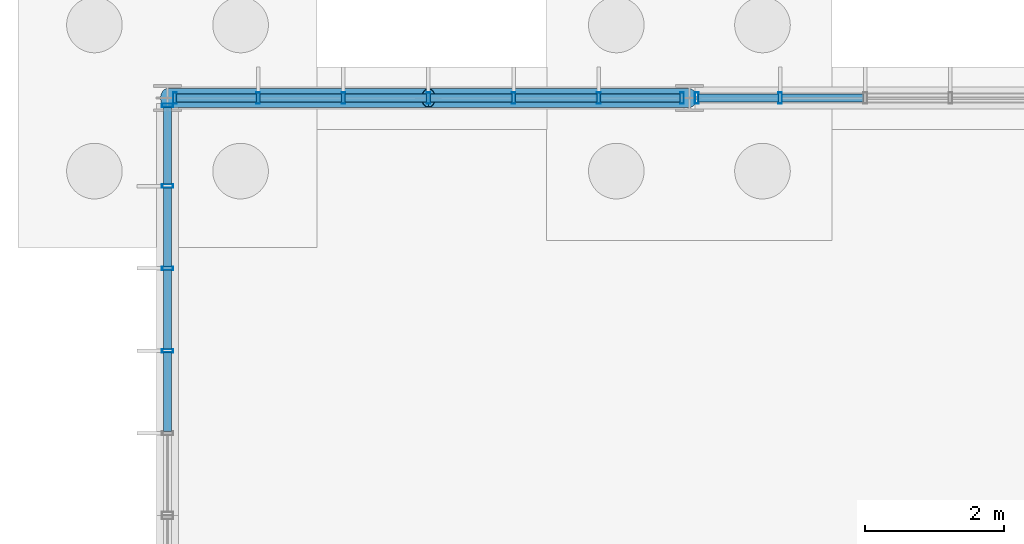
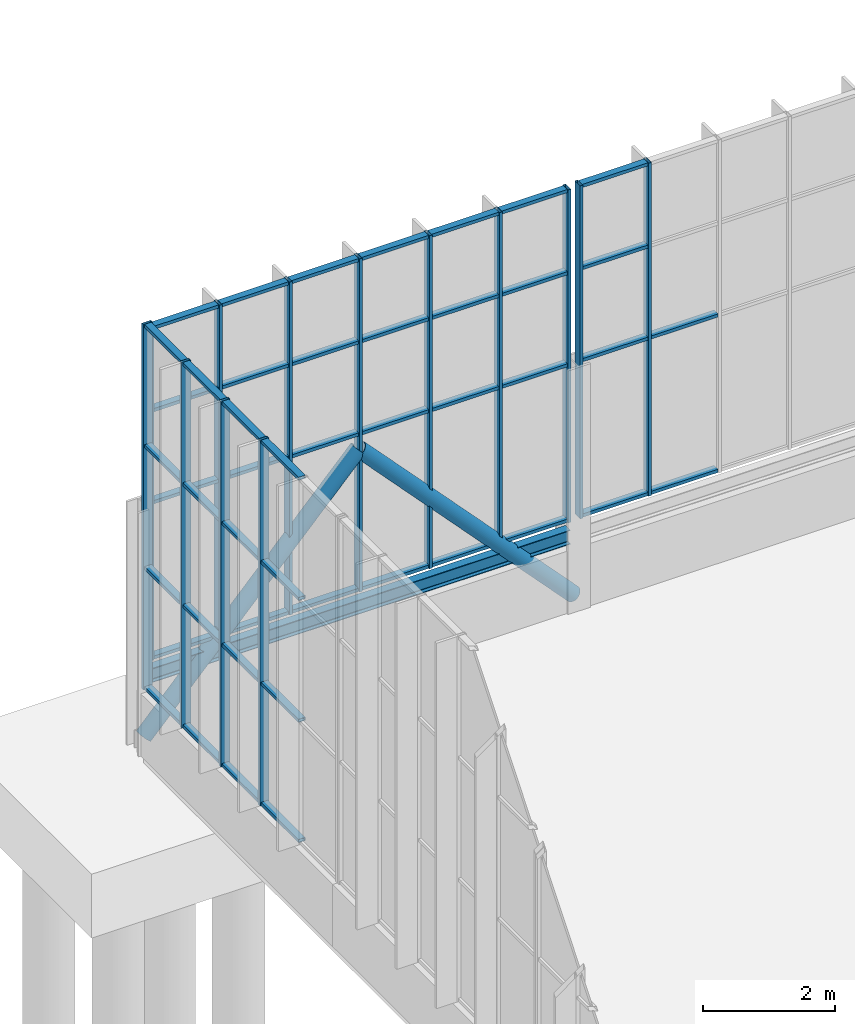
# One storey, part 53 of 136: 61 members, 1 beam, 3 elements without a shape of their own.
"""IFC4 building model written with IfcOpenShell, lengths in metres."""

from ifc_helpers import new_model, si_unit, direction, frame, origin, origin_2d, place, context, subcontext, project, spatial, hollow_rectangle, hollow_circle, i_section, extrude, material, layer, layer_set, material_profile, profile_set, type_object, element, aggregate, save


model = new_model("IFC4")

# Units and contexts
model_context = context("Model", 3, precision=1e-05, world=origin(), true_north=direction((0.0, 1.0)))
body_context = subcontext(model_context, "Body", "Model", "MODEL_VIEW")
ifc_project = project(units=[si_unit("LENGTHUNIT", "METRE"), si_unit("AREAUNIT", "SQUARE_METRE"), si_unit("VOLUMEUNIT", "CUBIC_METRE"), si_unit("PLANEANGLEUNIT", "RADIAN"), si_unit("MASSUNIT", "GRAM", prefix="KILO")], contexts=[model_context])

# Site, building, storey
site_placement = place(None, origin())
site = spatial("IfcSite", under=ifc_project, at=site_placement, CompositionType="ELEMENT")
building_placement = place(site_placement, origin())
building = spatial("IfcBuilding", under=site, at=building_placement, Name="Solvenia Promenade Tram Depot", CompositionType="ELEMENT")
storey_placement = place(building_placement, origin())
storey = spatial("IfcBuildingStorey", under=building, at=storey_placement, Name="L00", CompositionType="ELEMENT", Elevation=0.0)

# Members
ifc_material_1 = material(Name="Structural steel ASTM A500 Gr. C", Category="steel")
ifc_material_profile_1 = material_profile(ifc_material_1, hollow_circle(Radius=0.136474609375, WallThickness=0.010009765625, at=origin_2d()), Name="CHS273.0x10", Category="steel")
ifc_profile_set_1 = profile_set([ifc_material_profile_1], Name="Structural steel ASTM A500 Gr. C")
member_type_1 = type_object("IfcMemberType", Name="Brace-CHS273x10", PredefinedType="BRACE", material=ifc_profile_set_1)
for number, where, z_axis, x_axis, name in (
    (1, (0.0, 126.0, 0.199951171875), (0.683941128881, 0.0, 0.72953720414), (0.0, 1.0, 0.0), "PAC-DES Chevron Brace 03L"),
    (2, (7.5, 126.0, 0.199951171875), (-0.683941128881, 0.0, 0.72953720414), (0.0, -1.0, 0.0), "PAC-DES Chevron Brace 03R"),
):
    element("IfcMember", number, at=place(storey_placement, frame(where, z_axis=z_axis, x_axis=x_axis)), inside=storey, type_object=member_type_1, Name=name, PredefinedType="BRACE", context=body_context, shape_type="SweptSolid", body=[
        extrude(hollow_circle(Radius=0.136474609375, WallThickness=0.010009765625, at=origin_2d()), origin(), (0.0, 0.0, 1.0), 5.48291015625),
    ])

# Curtain wall, members
ifc_material_2 = material(Name="Anodized aluminium AW-6063 T6", Category="aluminium")
ifc_layer = layer(ifc_material_2, 0.159912109375, Name="Anodized aluminium AW-6063 T6", Category="aluminium")
ifc_layer_set = layer_set([ifc_layer], Name="Anodized aluminium AW-6063 T6")
curtain_wall_type = type_object("IfcCurtainWallType", Name="CW-Channel-1200", PredefinedType="NOTDEFINED", material=ifc_layer_set)
curtain_wall_1_placement = place(storey_placement, origin())
curtain_wall_1 = element("IfcCurtainWall", 3, at=curtain_wall_1_placement, inside=storey, type_object=curtain_wall_type, Name="North Translucent Channel-Glass Wall 01", PredefinedType="NOTDEFINED")
ifc_material_profile_2 = material_profile(ifc_material_2, hollow_rectangle(XDim=0.159912109375, YDim=0.052001953125, WallThickness=0.00390625, at=origin_2d()), Name="ALU-M1", Category="aluminium")
ifc_profile_set_2 = profile_set([ifc_material_profile_2], Name="Anodized aluminium AW-6063 T6")
member_type_2 = type_object("IfcMemberType", Name="CWM-Mullion-1", PredefinedType="MULLION", material=ifc_profile_set_2)
member_1_placement = place(storey_placement, frame((0.10595703125, 126.0, 1.60009765625), z_axis=(0.0, 0.0, 1.0), x_axis=(0.0, 1.0, 0.0)))
member_1 = element("IfcMember", 4, at=member_1_placement, type_object=member_type_2, Name="CW-1 mullion 1", PredefinedType="MULLION", context=body_context, shape_type="SweptSolid", body=[
    extrude(hollow_rectangle(XDim=0.159912109375, YDim=0.052001953125, WallThickness=0.00390625, at=origin_2d()), origin(), (0.0, 0.0, 1.0), 6.14990234375),
])
member_2_placement = place(storey_placement, frame((1.30322265625, 126.0, 1.60009765625), z_axis=(0.0, 0.0, 1.0), x_axis=(0.0, 1.0, 0.0)))
member_2 = element("IfcMember", 5, at=member_2_placement, type_object=member_type_2, Name="CW-1 mullion 2", PredefinedType="MULLION", context=body_context, shape_type="SweptSolid", body=[
    extrude(hollow_rectangle(XDim=0.159912109375, YDim=0.052001953125, WallThickness=0.00390625, at=origin_2d()), origin(), (0.0, 0.0, 1.0), 6.14990234375),
])
member_3_placement = place(storey_placement, frame((2.526611328125, 126.0, 1.60009765625), z_axis=(0.0, 0.0, 1.0), x_axis=(0.0, 1.0, 0.0)))
member_3 = element("IfcMember", 6, at=member_3_placement, type_object=member_type_2, Name="CW-1 mullion 3", PredefinedType="MULLION", context=body_context, shape_type="SweptSolid", body=[
    extrude(hollow_rectangle(XDim=0.159912109375, YDim=0.052001953125, WallThickness=0.00390625, at=origin_2d()), origin(), (0.0, 0.0, 1.0), 6.14990234375),
])
member_4_placement = place(storey_placement, frame((3.75, 126.0, 1.60009765625), z_axis=(0.0, 0.0, 1.0), x_axis=(0.0, 1.0, 0.0)))
member_4 = element("IfcMember", 7, at=member_4_placement, type_object=member_type_2, Name="CW-1 mullion 4", PredefinedType="MULLION", context=body_context, shape_type="SweptSolid", body=[
    extrude(hollow_rectangle(XDim=0.159912109375, YDim=0.052001953125, WallThickness=0.00390625, at=origin_2d()), origin(), (0.0, 0.0, 1.0), 6.14990234375),
])
member_5_placement = place(storey_placement, frame((4.973388671875, 126.0, 1.60009765625), z_axis=(0.0, 0.0, 1.0), x_axis=(0.0, 1.0, 0.0)))
member_5 = element("IfcMember", 8, at=member_5_placement, type_object=member_type_2, Name="CW-1 mullion 5", PredefinedType="MULLION", context=body_context, shape_type="SweptSolid", body=[
    extrude(hollow_rectangle(XDim=0.159912109375, YDim=0.052001953125, WallThickness=0.00390625, at=origin_2d()), origin(), (0.0, 0.0, 1.0), 6.14990234375),
])
member_6_placement = place(storey_placement, frame((6.19677734375, 126.0, 1.60009765625), z_axis=(0.0, 0.0, 1.0), x_axis=(0.0, 1.0, 0.0)))
member_6 = element("IfcMember", 9, at=member_6_placement, type_object=member_type_2, Name="CW-1 mullion 6", PredefinedType="MULLION", context=body_context, shape_type="SweptSolid", body=[
    extrude(hollow_rectangle(XDim=0.159912109375, YDim=0.052001953125, WallThickness=0.00390625, at=origin_2d()), origin(), (0.0, 0.0, 1.0), 6.14990234375),
])
member_7_placement = place(storey_placement, frame((7.39404296875, 126.0, 1.60009765625), z_axis=(0.0, 0.0, 1.0), x_axis=(0.0, 1.0, 0.0)))
member_7 = element("IfcMember", 10, at=member_7_placement, type_object=member_type_2, Name="CW-1 mullion 7", PredefinedType="MULLION", context=body_context, shape_type="SweptSolid", body=[
    extrude(hollow_rectangle(XDim=0.159912109375, YDim=0.052001953125, WallThickness=0.00390625, at=origin_2d()), origin(), (0.0, 0.0, 1.0), 6.14990234375),
])

curtain_wall_2_placement = place(storey_placement, origin())
curtain_wall_2 = element("IfcCurtainWall", 11, at=curtain_wall_2_placement, inside=storey, type_object=curtain_wall_type, Name="North Translucent Channel-Glass Wall 02", PredefinedType="NOTDEFINED")
member_8_placement = place(storey_placement, frame((7.60595703125, 126.0, 1.60009765625), z_axis=(0.0, 0.0, 1.0), x_axis=(0.0, 1.0, 0.0)))
member_8 = element("IfcMember", 12, at=member_8_placement, type_object=member_type_2, Name="CW-1 mullion 1", PredefinedType="MULLION", context=body_context, shape_type="SweptSolid", body=[
    extrude(hollow_rectangle(XDim=0.159912109375, YDim=0.052001953125, WallThickness=0.00390625, at=origin_2d()), origin(), (0.0, 0.0, 1.0), 6.14990234375),
])
member_9_placement = place(storey_placement, frame((8.80322265625, 126.0, 1.60009765625), z_axis=(0.0, 0.0, 1.0), x_axis=(0.0, 1.0, 0.0)))
member_9 = element("IfcMember", 13, at=member_9_placement, type_object=member_type_2, Name="CW-1 mullion 2", PredefinedType="MULLION", context=body_context, shape_type="SweptSolid", body=[
    extrude(hollow_rectangle(XDim=0.159912109375, YDim=0.052001953125, WallThickness=0.00390625, at=origin_2d()), origin(), (0.0, 0.0, 1.0), 6.14990234375),
])

curtain_wall_3_placement = place(storey_placement, origin())
curtain_wall_3 = element("IfcCurtainWall", 14, at=curtain_wall_3_placement, inside=storey, type_object=curtain_wall_type, Name="Curtain Wall CW-V1W-10", PredefinedType="NOTDEFINED")
member_10_placement = place(storey_placement, frame((0.0, 122.367919921875, 1.14990234375), z_axis=(0.0, 0.0, 1.0), x_axis=(-1.0, 0.0, 0.0)))
member_10 = element("IfcMember", 15, at=member_10_placement, type_object=member_type_2, Name="CW-1 mullion 3", PredefinedType="MULLION", context=body_context, shape_type="SweptSolid", body=[
    extrude(hollow_rectangle(XDim=0.159912109375, YDim=0.052001953125, WallThickness=0.00390625, at=origin_2d()), origin(), (0.0, 0.0, 1.0), 6.75),
])
member_11_placement = place(storey_placement, frame((0.0, 123.552001953125, 1.14990234375), z_axis=(0.0, 0.0, 1.0), x_axis=(-1.0, 0.0, 0.0)))
member_11 = element("IfcMember", 16, at=member_11_placement, type_object=member_type_2, Name="CW-1 mullion 4", PredefinedType="MULLION", context=body_context, shape_type="SweptSolid", body=[
    extrude(hollow_rectangle(XDim=0.159912109375, YDim=0.052001953125, WallThickness=0.00390625, at=origin_2d()), origin(), (0.0, 0.0, 1.0), 6.75),
])
member_12_placement = place(storey_placement, frame((0.0, 124.736083984375, 1.14990234375), z_axis=(0.0, 0.0, 1.0), x_axis=(-1.0, 0.0, 0.0)))
member_12 = element("IfcMember", 17, at=member_12_placement, type_object=member_type_2, Name="CW-1 mullion 5", PredefinedType="MULLION", context=body_context, shape_type="SweptSolid", body=[
    extrude(hollow_rectangle(XDim=0.159912109375, YDim=0.052001953125, WallThickness=0.00390625, at=origin_2d()), origin(), (0.0, 0.0, 1.0), 6.75),
])
member_13_placement = place(storey_placement, frame((0.0, 125.89404296875, 1.14990234375), z_axis=(0.0, 0.0, 1.0), x_axis=(-1.0, 0.0, 0.0)))
member_13 = element("IfcMember", 18, at=member_13_placement, type_object=member_type_2, Name="CW-1 mullion 6", PredefinedType="MULLION", context=body_context, shape_type="SweptSolid", body=[
    extrude(hollow_rectangle(XDim=0.159912109375, YDim=0.052001953125, WallThickness=0.00390625, at=origin_2d()), origin(), (0.0, 0.0, 1.0), 6.75),
])

# Member
ifc_material_profile_3 = material_profile(ifc_material_2, hollow_rectangle(XDim=0.1201171875, YDim=0.06005859375, WallThickness=0.00390625, at=origin_2d()), Name="ALU-T1", Category="aluminium")
ifc_profile_set_3 = profile_set([ifc_material_profile_3], Name="Anodized aluminium AW-6063 T6")
member_type_3 = type_object("IfcMemberType", Name="CWT-Transom-1", PredefinedType="USERDEFINED", material=ifc_profile_set_3)
member_14_placement = place(storey_placement, frame((0.132080078125, 126.0, 1.6298828125), z_axis=(1.0, 0.0, 0.0), x_axis=(0.0, 1.0, 0.0)))
member_14 = element("IfcMember", 19, at=member_14_placement, type_object=member_type_3, Name="CW-1 transom 1.1", ObjectType="TRANSOM", PredefinedType="USERDEFINED", context=body_context, shape_type="SweptSolid", body=[
    extrude(hollow_rectangle(XDim=0.1201171875, YDim=0.06005859375, WallThickness=0.00390625, at=origin_2d()), origin(), (0.0, 0.0, 1.0), 1.145263671875),
])

member_15_placement = place(storey_placement, frame((0.132080078125, 126.0, 4.5), z_axis=(1.0, 0.0, 0.0), x_axis=(0.0, 1.0, 0.0)))
member_15 = element("IfcMember", 20, at=member_15_placement, type_object=member_type_3, Name="CW-1 transom 1.2", ObjectType="TRANSOM", PredefinedType="USERDEFINED", context=body_context, shape_type="SweptSolid", body=[
    extrude(hollow_rectangle(XDim=0.1201171875, YDim=0.06005859375, WallThickness=0.00390625, at=origin_2d()), origin(), (0.0, 0.0, 1.0), 1.145263671875),
])

member_16_placement = place(storey_placement, frame((0.132080078125, 126.0, 6.199951171875), z_axis=(1.0, 0.0, 0.0), x_axis=(0.0, 1.0, 0.0)))
member_16 = element("IfcMember", 21, at=member_16_placement, type_object=member_type_3, Name="CW-1 transom 1.3", ObjectType="TRANSOM", PredefinedType="USERDEFINED", context=body_context, shape_type="SweptSolid", body=[
    extrude(hollow_rectangle(XDim=0.1201171875, YDim=0.06005859375, WallThickness=0.00390625, at=origin_2d()), origin(), (0.0, 0.0, 1.0), 1.145263671875),
])

member_17_placement = place(storey_placement, frame((0.132080078125, 126.0, 7.719970703125), z_axis=(1.0, 0.0, 0.0), x_axis=(0.0, 1.0, 0.0)))
member_17 = element("IfcMember", 22, at=member_17_placement, type_object=member_type_3, Name="CW-1 transom 1.4", ObjectType="TRANSOM", PredefinedType="USERDEFINED", context=body_context, shape_type="SweptSolid", body=[
    extrude(hollow_rectangle(XDim=0.1201171875, YDim=0.06005859375, WallThickness=0.00390625, at=origin_2d()), origin(), (0.0, 0.0, 1.0), 1.145263671875),
])

member_18_placement = place(storey_placement, frame((1.329345703125, 126.0, 1.6298828125), z_axis=(1.0, 0.0, 0.0), x_axis=(0.0, 1.0, 0.0)))
member_18 = element("IfcMember", 23, at=member_18_placement, type_object=member_type_3, Name="CW-1 transom 2.1", ObjectType="TRANSOM", PredefinedType="USERDEFINED", context=body_context, shape_type="SweptSolid", body=[
    extrude(hollow_rectangle(XDim=0.1201171875, YDim=0.06005859375, WallThickness=0.00390625, at=origin_2d()), origin(), (0.0, 0.0, 1.0), 1.17138671875),
])

member_19_placement = place(storey_placement, frame((1.329345703125, 126.0, 4.5), z_axis=(1.0, 0.0, 0.0), x_axis=(0.0, 1.0, 0.0)))
member_19 = element("IfcMember", 24, at=member_19_placement, type_object=member_type_3, Name="CW-1 transom 2.2", ObjectType="TRANSOM", PredefinedType="USERDEFINED", context=body_context, shape_type="SweptSolid", body=[
    extrude(hollow_rectangle(XDim=0.1201171875, YDim=0.06005859375, WallThickness=0.00390625, at=origin_2d()), origin(), (0.0, 0.0, 1.0), 1.17138671875),
])

member_20_placement = place(storey_placement, frame((1.329345703125, 126.0, 6.199951171875), z_axis=(1.0, 0.0, 0.0), x_axis=(0.0, 1.0, 0.0)))
member_20 = element("IfcMember", 25, at=member_20_placement, type_object=member_type_3, Name="CW-1 transom 2.3", ObjectType="TRANSOM", PredefinedType="USERDEFINED", context=body_context, shape_type="SweptSolid", body=[
    extrude(hollow_rectangle(XDim=0.1201171875, YDim=0.06005859375, WallThickness=0.00390625, at=origin_2d()), origin(), (0.0, 0.0, 1.0), 1.17138671875),
])

member_21_placement = place(storey_placement, frame((1.329345703125, 126.0, 7.719970703125), z_axis=(1.0, 0.0, 0.0), x_axis=(0.0, 1.0, 0.0)))
member_21 = element("IfcMember", 26, at=member_21_placement, type_object=member_type_3, Name="CW-1 transom 2.4", ObjectType="TRANSOM", PredefinedType="USERDEFINED", context=body_context, shape_type="SweptSolid", body=[
    extrude(hollow_rectangle(XDim=0.1201171875, YDim=0.06005859375, WallThickness=0.00390625, at=origin_2d()), origin(), (0.0, 0.0, 1.0), 1.17138671875),
])

member_22_placement = place(storey_placement, frame((2.552734375, 126.0, 1.6298828125), z_axis=(1.0, 0.0, 0.0), x_axis=(0.0, 1.0, 0.0)))
member_22 = element("IfcMember", 27, at=member_22_placement, type_object=member_type_3, Name="CW-1 transom 3.1", ObjectType="TRANSOM", PredefinedType="USERDEFINED", context=body_context, shape_type="SweptSolid", body=[
    extrude(hollow_rectangle(XDim=0.1201171875, YDim=0.06005859375, WallThickness=0.00390625, at=origin_2d()), origin(), (0.0, 0.0, 1.0), 1.17138671875),
])

member_23_placement = place(storey_placement, frame((2.552734375, 126.0, 4.5), z_axis=(1.0, 0.0, 0.0), x_axis=(0.0, 1.0, 0.0)))
member_23 = element("IfcMember", 28, at=member_23_placement, type_object=member_type_3, Name="CW-1 transom 3.2", ObjectType="TRANSOM", PredefinedType="USERDEFINED", context=body_context, shape_type="SweptSolid", body=[
    extrude(hollow_rectangle(XDim=0.1201171875, YDim=0.06005859375, WallThickness=0.00390625, at=origin_2d()), origin(), (0.0, 0.0, 1.0), 1.17138671875),
])

member_24_placement = place(storey_placement, frame((2.552734375, 126.0, 6.199951171875), z_axis=(1.0, 0.0, 0.0), x_axis=(0.0, 1.0, 0.0)))
member_24 = element("IfcMember", 29, at=member_24_placement, type_object=member_type_3, Name="CW-1 transom 3.3", ObjectType="TRANSOM", PredefinedType="USERDEFINED", context=body_context, shape_type="SweptSolid", body=[
    extrude(hollow_rectangle(XDim=0.1201171875, YDim=0.06005859375, WallThickness=0.00390625, at=origin_2d()), origin(), (0.0, 0.0, 1.0), 1.17138671875),
])

member_25_placement = place(storey_placement, frame((2.552734375, 126.0, 7.719970703125), z_axis=(1.0, 0.0, 0.0), x_axis=(0.0, 1.0, 0.0)))
member_25 = element("IfcMember", 30, at=member_25_placement, type_object=member_type_3, Name="CW-1 transom 3.4", ObjectType="TRANSOM", PredefinedType="USERDEFINED", context=body_context, shape_type="SweptSolid", body=[
    extrude(hollow_rectangle(XDim=0.1201171875, YDim=0.06005859375, WallThickness=0.00390625, at=origin_2d()), origin(), (0.0, 0.0, 1.0), 1.17138671875),
])

member_26_placement = place(storey_placement, frame((3.77587890625, 126.0, 1.6298828125), z_axis=(1.0, 0.0, 0.0), x_axis=(0.0, 1.0, 0.0)))
member_26 = element("IfcMember", 31, at=member_26_placement, type_object=member_type_3, Name="CW-1 transom 4.1", ObjectType="TRANSOM", PredefinedType="USERDEFINED", context=body_context, shape_type="SweptSolid", body=[
    extrude(hollow_rectangle(XDim=0.1201171875, YDim=0.06005859375, WallThickness=0.00390625, at=origin_2d()), origin(), (0.0, 0.0, 1.0), 1.17138671875),
])

member_27_placement = place(storey_placement, frame((3.77587890625, 126.0, 4.5), z_axis=(1.0, 0.0, 0.0), x_axis=(0.0, 1.0, 0.0)))
member_27 = element("IfcMember", 32, at=member_27_placement, type_object=member_type_3, Name="CW-1 transom 4.2", ObjectType="TRANSOM", PredefinedType="USERDEFINED", context=body_context, shape_type="SweptSolid", body=[
    extrude(hollow_rectangle(XDim=0.1201171875, YDim=0.06005859375, WallThickness=0.00390625, at=origin_2d()), origin(), (0.0, 0.0, 1.0), 1.17138671875),
])

member_28_placement = place(storey_placement, frame((3.77587890625, 126.0, 6.199951171875), z_axis=(1.0, 0.0, 0.0), x_axis=(0.0, 1.0, 0.0)))
member_28 = element("IfcMember", 33, at=member_28_placement, type_object=member_type_3, Name="CW-1 transom 4.3", ObjectType="TRANSOM", PredefinedType="USERDEFINED", context=body_context, shape_type="SweptSolid", body=[
    extrude(hollow_rectangle(XDim=0.1201171875, YDim=0.06005859375, WallThickness=0.00390625, at=origin_2d()), origin(), (0.0, 0.0, 1.0), 1.17138671875),
])

member_29_placement = place(storey_placement, frame((3.77587890625, 126.0, 7.719970703125), z_axis=(1.0, 0.0, 0.0), x_axis=(0.0, 1.0, 0.0)))
member_29 = element("IfcMember", 34, at=member_29_placement, type_object=member_type_3, Name="CW-1 transom 4.4", ObjectType="TRANSOM", PredefinedType="USERDEFINED", context=body_context, shape_type="SweptSolid", body=[
    extrude(hollow_rectangle(XDim=0.1201171875, YDim=0.06005859375, WallThickness=0.00390625, at=origin_2d()), origin(), (0.0, 0.0, 1.0), 1.17138671875),
])

member_30_placement = place(storey_placement, frame((4.999267578125, 126.0, 1.6298828125), z_axis=(1.0, 0.0, 0.0), x_axis=(0.0, 1.0, 0.0)))
member_30 = element("IfcMember", 35, at=member_30_placement, type_object=member_type_3, Name="CW-1 transom 5.1", ObjectType="TRANSOM", PredefinedType="USERDEFINED", context=body_context, shape_type="SweptSolid", body=[
    extrude(hollow_rectangle(XDim=0.1201171875, YDim=0.06005859375, WallThickness=0.00390625, at=origin_2d()), origin(), (0.0, 0.0, 1.0), 1.17138671875),
])

member_31_placement = place(storey_placement, frame((4.999267578125, 126.0, 4.5), z_axis=(1.0, 0.0, 0.0), x_axis=(0.0, 1.0, 0.0)))
member_31 = element("IfcMember", 36, at=member_31_placement, type_object=member_type_3, Name="CW-1 transom 5.2", ObjectType="TRANSOM", PredefinedType="USERDEFINED", context=body_context, shape_type="SweptSolid", body=[
    extrude(hollow_rectangle(XDim=0.1201171875, YDim=0.06005859375, WallThickness=0.00390625, at=origin_2d()), origin(), (0.0, 0.0, 1.0), 1.17138671875),
])

member_32_placement = place(storey_placement, frame((4.999267578125, 126.0, 6.199951171875), z_axis=(1.0, 0.0, 0.0), x_axis=(0.0, 1.0, 0.0)))
member_32 = element("IfcMember", 37, at=member_32_placement, type_object=member_type_3, Name="CW-1 transom 5.3", ObjectType="TRANSOM", PredefinedType="USERDEFINED", context=body_context, shape_type="SweptSolid", body=[
    extrude(hollow_rectangle(XDim=0.1201171875, YDim=0.06005859375, WallThickness=0.00390625, at=origin_2d()), origin(), (0.0, 0.0, 1.0), 1.17138671875),
])

member_33_placement = place(storey_placement, frame((4.999267578125, 126.0, 7.719970703125), z_axis=(1.0, 0.0, 0.0), x_axis=(0.0, 1.0, 0.0)))
member_33 = element("IfcMember", 38, at=member_33_placement, type_object=member_type_3, Name="CW-1 transom 5.4", ObjectType="TRANSOM", PredefinedType="USERDEFINED", context=body_context, shape_type="SweptSolid", body=[
    extrude(hollow_rectangle(XDim=0.1201171875, YDim=0.06005859375, WallThickness=0.00390625, at=origin_2d()), origin(), (0.0, 0.0, 1.0), 1.17138671875),
])

member_34_placement = place(storey_placement, frame((6.22265625, 126.0, 1.6298828125), z_axis=(1.0, 0.0, 0.0), x_axis=(0.0, 1.0, 0.0)))
member_34 = element("IfcMember", 39, at=member_34_placement, type_object=member_type_3, Name="CW-1 transom 6.1", ObjectType="TRANSOM", PredefinedType="USERDEFINED", context=body_context, shape_type="SweptSolid", body=[
    extrude(hollow_rectangle(XDim=0.1201171875, YDim=0.06005859375, WallThickness=0.00390625, at=origin_2d()), origin(), (0.0, 0.0, 1.0), 1.145263671875),
])

member_35_placement = place(storey_placement, frame((6.22265625, 126.0, 4.5), z_axis=(1.0, 0.0, 0.0), x_axis=(0.0, 1.0, 0.0)))
member_35 = element("IfcMember", 40, at=member_35_placement, type_object=member_type_3, Name="CW-1 transom 6.2", ObjectType="TRANSOM", PredefinedType="USERDEFINED", context=body_context, shape_type="SweptSolid", body=[
    extrude(hollow_rectangle(XDim=0.1201171875, YDim=0.06005859375, WallThickness=0.00390625, at=origin_2d()), origin(), (0.0, 0.0, 1.0), 1.145263671875),
])

member_36_placement = place(storey_placement, frame((6.22265625, 126.0, 6.199951171875), z_axis=(1.0, 0.0, 0.0), x_axis=(0.0, 1.0, 0.0)))
member_36 = element("IfcMember", 41, at=member_36_placement, type_object=member_type_3, Name="CW-1 transom 6.3", ObjectType="TRANSOM", PredefinedType="USERDEFINED", context=body_context, shape_type="SweptSolid", body=[
    extrude(hollow_rectangle(XDim=0.1201171875, YDim=0.06005859375, WallThickness=0.00390625, at=origin_2d()), origin(), (0.0, 0.0, 1.0), 1.145263671875),
])

member_37_placement = place(storey_placement, frame((6.22265625, 126.0, 7.719970703125), z_axis=(1.0, 0.0, 0.0), x_axis=(0.0, 1.0, 0.0)))
member_37 = element("IfcMember", 42, at=member_37_placement, type_object=member_type_3, Name="CW-1 transom 6.4", ObjectType="TRANSOM", PredefinedType="USERDEFINED", context=body_context, shape_type="SweptSolid", body=[
    extrude(hollow_rectangle(XDim=0.1201171875, YDim=0.06005859375, WallThickness=0.00390625, at=origin_2d()), origin(), (0.0, 0.0, 1.0), 1.145263671875),
])

aggregate(curtain_wall_1, [member_1, member_2, member_3, member_4, member_5, member_6, member_7, member_14, member_15, member_16, member_17, member_18, member_19, member_20, member_21, member_22, member_23, member_24, member_25, member_26, member_27, member_28, member_29, member_30, member_31, member_32, member_33, member_34, member_35, member_36, member_37])

member_38_placement = place(storey_placement, frame((7.632080078125, 126.0, 1.6298828125), z_axis=(1.0, 0.0, 0.0), x_axis=(0.0, 1.0, 0.0)))
member_38 = element("IfcMember", 43, at=member_38_placement, type_object=member_type_3, Name="CW-1 transom 1.1", ObjectType="TRANSOM", PredefinedType="USERDEFINED", context=body_context, shape_type="SweptSolid", body=[
    extrude(hollow_rectangle(XDim=0.1201171875, YDim=0.06005859375, WallThickness=0.00390625, at=origin_2d()), origin(), (0.0, 0.0, 1.0), 1.145263671875),
])

member_39_placement = place(storey_placement, frame((7.632080078125, 126.0, 4.5), z_axis=(1.0, 0.0, 0.0), x_axis=(0.0, 1.0, 0.0)))
member_39 = element("IfcMember", 44, at=member_39_placement, type_object=member_type_3, Name="CW-1 transom 1.2", ObjectType="TRANSOM", PredefinedType="USERDEFINED", context=body_context, shape_type="SweptSolid", body=[
    extrude(hollow_rectangle(XDim=0.1201171875, YDim=0.06005859375, WallThickness=0.00390625, at=origin_2d()), origin(), (0.0, 0.0, 1.0), 1.145263671875),
])

member_40_placement = place(storey_placement, frame((7.632080078125, 126.0, 6.199951171875), z_axis=(1.0, 0.0, 0.0), x_axis=(0.0, 1.0, 0.0)))
member_40 = element("IfcMember", 45, at=member_40_placement, type_object=member_type_3, Name="CW-1 transom 1.3", ObjectType="TRANSOM", PredefinedType="USERDEFINED", context=body_context, shape_type="SweptSolid", body=[
    extrude(hollow_rectangle(XDim=0.1201171875, YDim=0.06005859375, WallThickness=0.00390625, at=origin_2d()), origin(), (0.0, 0.0, 1.0), 1.145263671875),
])

member_41_placement = place(storey_placement, frame((7.632080078125, 126.0, 7.719970703125), z_axis=(1.0, 0.0, 0.0), x_axis=(0.0, 1.0, 0.0)))
member_41 = element("IfcMember", 46, at=member_41_placement, type_object=member_type_3, Name="CW-1 transom 1.4", ObjectType="TRANSOM", PredefinedType="USERDEFINED", context=body_context, shape_type="SweptSolid", body=[
    extrude(hollow_rectangle(XDim=0.1201171875, YDim=0.06005859375, WallThickness=0.00390625, at=origin_2d()), origin(), (0.0, 0.0, 1.0), 1.145263671875),
])

member_42_placement = place(storey_placement, frame((8.829345703125, 126.0, 1.6298828125), z_axis=(1.0, 0.0, 0.0), x_axis=(0.0, 1.0, 0.0)))
member_42 = element("IfcMember", 47, at=member_42_placement, type_object=member_type_3, Name="CW-1 transom 2.1", ObjectType="TRANSOM", PredefinedType="USERDEFINED", context=body_context, shape_type="SweptSolid", body=[
    extrude(hollow_rectangle(XDim=0.1201171875, YDim=0.06005859375, WallThickness=0.00390625, at=origin_2d()), origin(), (0.0, 0.0, 1.0), 1.17138671875),
])

member_43_placement = place(storey_placement, frame((8.829345703125, 126.0, 4.5), z_axis=(1.0, 0.0, 0.0), x_axis=(0.0, 1.0, 0.0)))
member_43 = element("IfcMember", 48, at=member_43_placement, type_object=member_type_3, Name="CW-1 transom 2.2", ObjectType="TRANSOM", PredefinedType="USERDEFINED", context=body_context, shape_type="SweptSolid", body=[
    extrude(hollow_rectangle(XDim=0.1201171875, YDim=0.06005859375, WallThickness=0.00390625, at=origin_2d()), origin(), (0.0, 0.0, 1.0), 1.17138671875),
])

aggregate(curtain_wall_2, [member_8, member_9, member_38, member_39, member_40, member_41, member_42, member_43])

member_44_placement = place(storey_placement, frame((0.0, 121.2099609375, 1.179931640625), z_axis=(0.0, 1.0, 0.0), x_axis=(-1.0, 0.0, 0.0)))
member_44 = element("IfcMember", 49, at=member_44_placement, type_object=member_type_3, Name="CW-1 transom 2.1", ObjectType="TRANSOM", PredefinedType="USERDEFINED", context=body_context, shape_type="SweptSolid", body=[
    extrude(hollow_rectangle(XDim=0.1201171875, YDim=0.06005859375, WallThickness=0.00390625, at=origin_2d()), origin(), (0.0, 0.0, 1.0), 1.132080078125),
])

member_45_placement = place(storey_placement, frame((0.0, 121.2099609375, 3.39990234375), z_axis=(0.0, 1.0, 0.0), x_axis=(-1.0, 0.0, 0.0)))
member_45 = element("IfcMember", 50, at=member_45_placement, type_object=member_type_3, Name="CW-1 transom 2.2", ObjectType="TRANSOM", PredefinedType="USERDEFINED", context=body_context, shape_type="SweptSolid", body=[
    extrude(hollow_rectangle(XDim=0.1201171875, YDim=0.06005859375, WallThickness=0.00390625, at=origin_2d()), origin(), (0.0, 0.0, 1.0), 1.132080078125),
])

member_46_placement = place(storey_placement, frame((0.0, 121.2099609375, 5.64990234375), z_axis=(0.0, 1.0, 0.0), x_axis=(-1.0, 0.0, 0.0)))
member_46 = element("IfcMember", 51, at=member_46_placement, type_object=member_type_3, Name="CW-1 transom 2.3", ObjectType="TRANSOM", PredefinedType="USERDEFINED", context=body_context, shape_type="SweptSolid", body=[
    extrude(hollow_rectangle(XDim=0.1201171875, YDim=0.06005859375, WallThickness=0.00390625, at=origin_2d()), origin(), (0.0, 0.0, 1.0), 1.132080078125),
])

member_47_placement = place(storey_placement, frame((0.0, 121.2099609375, 7.8701171875), z_axis=(0.0, 1.0, 0.0), x_axis=(-1.0, 0.0, 0.0)))
member_47 = element("IfcMember", 52, at=member_47_placement, type_object=member_type_3, Name="CW-1 transom 2.4", ObjectType="TRANSOM", PredefinedType="USERDEFINED", context=body_context, shape_type="SweptSolid", body=[
    extrude(hollow_rectangle(XDim=0.1201171875, YDim=0.06005859375, WallThickness=0.00390625, at=origin_2d()), origin(), (0.0, 0.0, 1.0), 1.132080078125),
])

member_48_placement = place(storey_placement, frame((0.0, 122.39404296875, 1.179931640625), z_axis=(0.0, 1.0, 0.0), x_axis=(-1.0, 0.0, 0.0)))
member_48 = element("IfcMember", 53, at=member_48_placement, type_object=member_type_3, Name="CW-1 transom 3.1", ObjectType="TRANSOM", PredefinedType="USERDEFINED", context=body_context, shape_type="SweptSolid", body=[
    extrude(hollow_rectangle(XDim=0.1201171875, YDim=0.06005859375, WallThickness=0.00390625, at=origin_2d()), origin(), (0.0, 0.0, 1.0), 1.1318359375),
])

member_49_placement = place(storey_placement, frame((0.0, 122.39404296875, 3.39990234375), z_axis=(0.0, 1.0, 0.0), x_axis=(-1.0, 0.0, 0.0)))
member_49 = element("IfcMember", 54, at=member_49_placement, type_object=member_type_3, Name="CW-1 transom 3.2", ObjectType="TRANSOM", PredefinedType="USERDEFINED", context=body_context, shape_type="SweptSolid", body=[
    extrude(hollow_rectangle(XDim=0.1201171875, YDim=0.06005859375, WallThickness=0.00390625, at=origin_2d()), origin(), (0.0, 0.0, 1.0), 1.1318359375),
])

member_50_placement = place(storey_placement, frame((0.0, 122.39404296875, 5.64990234375), z_axis=(0.0, 1.0, 0.0), x_axis=(-1.0, 0.0, 0.0)))
member_50 = element("IfcMember", 55, at=member_50_placement, type_object=member_type_3, Name="CW-1 transom 3.3", ObjectType="TRANSOM", PredefinedType="USERDEFINED", context=body_context, shape_type="SweptSolid", body=[
    extrude(hollow_rectangle(XDim=0.1201171875, YDim=0.06005859375, WallThickness=0.00390625, at=origin_2d()), origin(), (0.0, 0.0, 1.0), 1.1318359375),
])

member_51_placement = place(storey_placement, frame((0.0, 122.39404296875, 7.8701171875), z_axis=(0.0, 1.0, 0.0), x_axis=(-1.0, 0.0, 0.0)))
member_51 = element("IfcMember", 56, at=member_51_placement, type_object=member_type_3, Name="CW-1 transom 3.4", ObjectType="TRANSOM", PredefinedType="USERDEFINED", context=body_context, shape_type="SweptSolid", body=[
    extrude(hollow_rectangle(XDim=0.1201171875, YDim=0.06005859375, WallThickness=0.00390625, at=origin_2d()), origin(), (0.0, 0.0, 1.0), 1.1318359375),
])

member_52_placement = place(storey_placement, frame((0.0, 123.577880859375, 1.179931640625), z_axis=(0.0, 1.0, 0.0), x_axis=(-1.0, 0.0, 0.0)))
member_52 = element("IfcMember", 57, at=member_52_placement, type_object=member_type_3, Name="CW-1 transom 4.1", ObjectType="TRANSOM", PredefinedType="USERDEFINED", context=body_context, shape_type="SweptSolid", body=[
    extrude(hollow_rectangle(XDim=0.1201171875, YDim=0.06005859375, WallThickness=0.00390625, at=origin_2d()), origin(), (0.0, 0.0, 1.0), 1.132080078125),
])

member_53_placement = place(storey_placement, frame((0.0, 123.577880859375, 3.39990234375), z_axis=(0.0, 1.0, 0.0), x_axis=(-1.0, 0.0, 0.0)))
member_53 = element("IfcMember", 58, at=member_53_placement, type_object=member_type_3, Name="CW-1 transom 4.2", ObjectType="TRANSOM", PredefinedType="USERDEFINED", context=body_context, shape_type="SweptSolid", body=[
    extrude(hollow_rectangle(XDim=0.1201171875, YDim=0.06005859375, WallThickness=0.00390625, at=origin_2d()), origin(), (0.0, 0.0, 1.0), 1.132080078125),
])

member_54_placement = place(storey_placement, frame((0.0, 123.577880859375, 5.64990234375), z_axis=(0.0, 1.0, 0.0), x_axis=(-1.0, 0.0, 0.0)))
member_54 = element("IfcMember", 59, at=member_54_placement, type_object=member_type_3, Name="CW-1 transom 4.3", ObjectType="TRANSOM", PredefinedType="USERDEFINED", context=body_context, shape_type="SweptSolid", body=[
    extrude(hollow_rectangle(XDim=0.1201171875, YDim=0.06005859375, WallThickness=0.00390625, at=origin_2d()), origin(), (0.0, 0.0, 1.0), 1.132080078125),
])

member_55_placement = place(storey_placement, frame((0.0, 123.577880859375, 7.8701171875), z_axis=(0.0, 1.0, 0.0), x_axis=(-1.0, 0.0, 0.0)))
member_55 = element("IfcMember", 60, at=member_55_placement, type_object=member_type_3, Name="CW-1 transom 4.4", ObjectType="TRANSOM", PredefinedType="USERDEFINED", context=body_context, shape_type="SweptSolid", body=[
    extrude(hollow_rectangle(XDim=0.1201171875, YDim=0.06005859375, WallThickness=0.00390625, at=origin_2d()), origin(), (0.0, 0.0, 1.0), 1.132080078125),
])

member_56_placement = place(storey_placement, frame((0.0, 124.761962890625, 1.179931640625), z_axis=(0.0, 1.0, 0.0), x_axis=(-1.0, 0.0, 0.0)))
member_56 = element("IfcMember", 61, at=member_56_placement, type_object=member_type_3, Name="CW-1 transom 5.1", ObjectType="TRANSOM", PredefinedType="USERDEFINED", context=body_context, shape_type="SweptSolid", body=[
    extrude(hollow_rectangle(XDim=0.1201171875, YDim=0.06005859375, WallThickness=0.00390625, at=origin_2d()), origin(), (0.0, 0.0, 1.0), 1.10595703125),
])

member_57_placement = place(storey_placement, frame((0.0, 124.761962890625, 3.39990234375), z_axis=(0.0, 1.0, 0.0), x_axis=(-1.0, 0.0, 0.0)))
member_57 = element("IfcMember", 62, at=member_57_placement, type_object=member_type_3, Name="CW-1 transom 5.2", ObjectType="TRANSOM", PredefinedType="USERDEFINED", context=body_context, shape_type="SweptSolid", body=[
    extrude(hollow_rectangle(XDim=0.1201171875, YDim=0.06005859375, WallThickness=0.00390625, at=origin_2d()), origin(), (0.0, 0.0, 1.0), 1.10595703125),
])

member_58_placement = place(storey_placement, frame((0.0, 124.761962890625, 5.64990234375), z_axis=(0.0, 1.0, 0.0), x_axis=(-1.0, 0.0, 0.0)))
member_58 = element("IfcMember", 63, at=member_58_placement, type_object=member_type_3, Name="CW-1 transom 5.3", ObjectType="TRANSOM", PredefinedType="USERDEFINED", context=body_context, shape_type="SweptSolid", body=[
    extrude(hollow_rectangle(XDim=0.1201171875, YDim=0.06005859375, WallThickness=0.00390625, at=origin_2d()), origin(), (0.0, 0.0, 1.0), 1.10595703125),
])

member_59_placement = place(storey_placement, frame((0.0, 124.761962890625, 7.8701171875), z_axis=(0.0, 1.0, 0.0), x_axis=(-1.0, 0.0, 0.0)))
member_59 = element("IfcMember", 64, at=member_59_placement, type_object=member_type_3, Name="CW-1 transom 5.4", ObjectType="TRANSOM", PredefinedType="USERDEFINED", context=body_context, shape_type="SweptSolid", body=[
    extrude(hollow_rectangle(XDim=0.1201171875, YDim=0.06005859375, WallThickness=0.00390625, at=origin_2d()), origin(), (0.0, 0.0, 1.0), 1.10595703125),
])

aggregate(curtain_wall_3, [member_10, member_11, member_12, member_13, member_44, member_45, member_46, member_47, member_48, member_49, member_50, member_51, member_52, member_53, member_54, member_55, member_56, member_57, member_58, member_59])

# Beam
ifc_material_3 = material(Name="Structural steel ASTM A992 Gr. 50", Category="steel")
ifc_material_profile_4 = material_profile(ifc_material_3, i_section(OverallWidth=0.14697265625, OverallDepth=0.261962890625, WebThickness=0.006591796875, FlangeThickness=0.01123046875, FilletRadius=0.010009765625, at=origin_2d()), Name="W250x39", Category="steel")
ifc_profile_set_4 = profile_set([ifc_material_profile_4], Name="Structural steel ASTM A992 Gr. 50")
beam_type = type_object("IfcBeamType", Name="Lintel-W250x39", PredefinedType="LINTEL", material=ifc_profile_set_4)
beam_placement = place(storey_placement, frame((0.0849609375, 126.0, 1.319091796875), z_axis=(1.0, 0.0, 0.0), x_axis=(0.0, 1.0, 0.0)))
element("IfcBeam", 65, at=beam_placement, inside=storey, type_object=beam_type, Name="North Plinth Header Beam 1 BM-L00-0934", PredefinedType="LINTEL", context=body_context, shape_type="SweptSolid", body=[
    extrude(i_section(OverallWidth=0.14697265625, OverallDepth=0.261962890625, WebThickness=0.006591796875, FlangeThickness=0.01123046875, FilletRadius=0.010009765625, at=origin_2d()), origin(), (0.0, 0.0, 1.0), 7.330078125),
])

save(model, "model.ifc")
